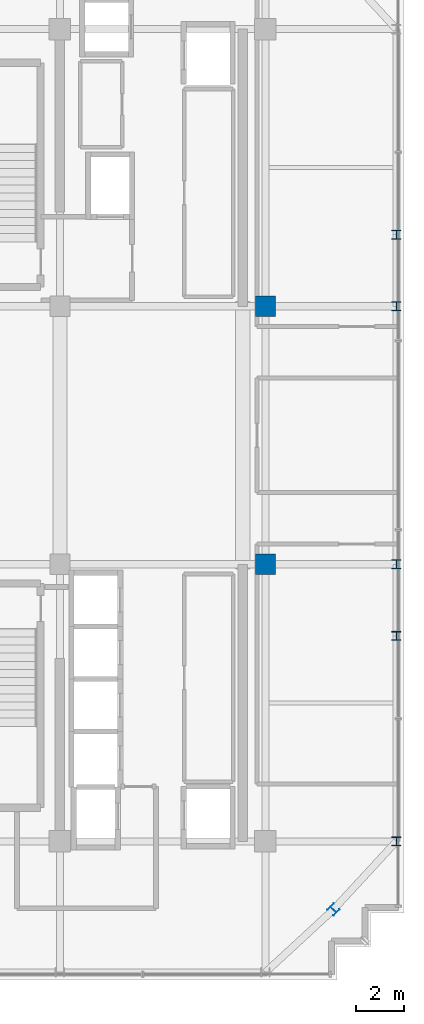
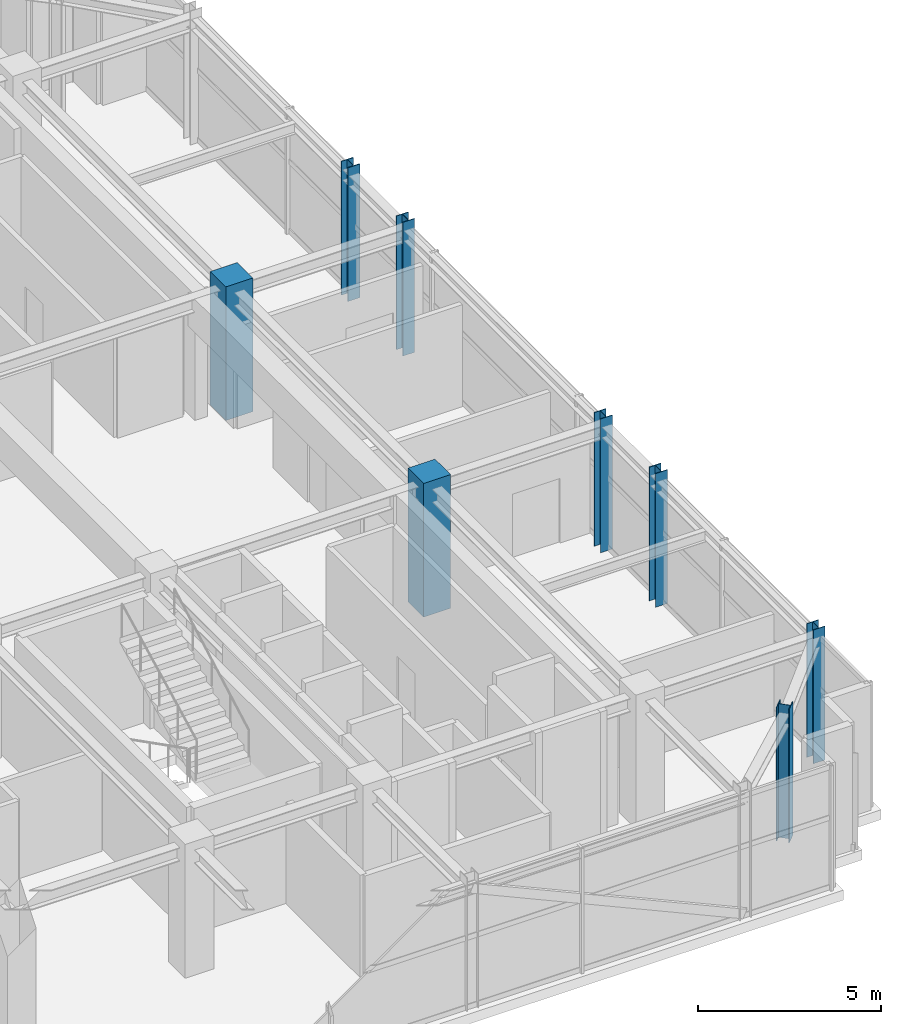
# One storey, part 2 of 26: 8 columns.
"""IFC4 building model written with IfcOpenShell, lengths in metres."""

from ifc_helpers import new_model, si_unit, direction, frame, origin, origin_2d, place, context, subcontext, project, spatial, rectangle, i_section, extrude, source, transform, mapped, material, material_profile, profile_set, type_object, element, save


model = new_model("IFC4")

# Units and contexts
model_context = context("Model", 3, precision=1e-05, world=origin(), true_north=direction((0.0, 1.0)))
body_context = subcontext(model_context, "Body", "Model", "MODEL_VIEW")
ifc_project = project(units=[si_unit("LENGTHUNIT", "METRE"), si_unit("AREAUNIT", "SQUARE_METRE"), si_unit("VOLUMEUNIT", "CUBIC_METRE"), si_unit("PLANEANGLEUNIT", "RADIAN"), si_unit("MASSUNIT", "GRAM", prefix="KILO")], contexts=[model_context])

# Site, building, storey
site_placement = place(None, origin())
site = spatial("IfcSite", under=ifc_project, at=site_placement, CompositionType="ELEMENT")
building_placement = place(site_placement, origin())
building = spatial("IfcBuilding", under=site, at=building_placement, Name="Nahalor Promenade Grand Hotel", CompositionType="ELEMENT")
storey_placement = place(building_placement, frame((0.0, 0.0, 343.050048828125)))
storey = spatial("IfcBuildingStorey", under=building, at=storey_placement, Name="L88", CompositionType="ELEMENT", Elevation=343.050048828125)

# Columns
ifc_material_1 = material(Name="Concrete B-70 (C60/75)", Category="concrete")
ifc_material_profile_1 = material_profile(ifc_material_1, rectangle(XDim=0.85, YDim=0.85, at=origin_2d()), Name="RC 850x850")
ifc_profile_set_1 = profile_set([ifc_material_profile_1], Name="Concrete B-70 (C60/75)")
column_type_1 = type_object("IfcColumnType", Name="Col-Pilaster-850", PredefinedType="PILASTER", material=ifc_profile_set_1)
shared_shape_1 = source(origin(), body_context, "Body", "SweptSolid", [
    extrude(rectangle(XDim=0.85, YDim=0.85, at=origin_2d()), origin(), (0.0, 0.0, 1.0), 4.454833984375),
])
for number, where, z_axis, x_axis, name in (
    (1, (17.0, -5.39990234375, 0.0), (0.0, 0.0, 1.0), (1.0, 0.0, 0.0), "COL-L88-I51"),
    (2, (17.0, 5.39990234375, 0.0), (0.0, 0.0, 1.0), (1.0, 0.0, 0.0), "COL-L88-I52"),
):
    element("IfcColumn", number, at=place(storey_placement, frame(where, z_axis=z_axis, x_axis=x_axis)), inside=storey, type_object=column_type_1, Name=name, PredefinedType="PILASTER", context=body_context, shape_type="MappedRepresentation", body=[
        mapped(shared_shape_1, transform((0.0, 0.0, 0.0), scale=1.0)),
    ])
ifc_material_2 = material(Name="Steel S355JR", Category="steel")
ifc_material_profile_2 = material_profile(ifc_material_2, i_section(OverallWidth=0.374, OverallDepth=0.374, WebThickness=0.0144, FlangeThickness=0.0229, at=origin_2d()), Name="HD 360x262")
ifc_profile_set_2 = profile_set([ifc_material_profile_2], Name="Steel S355JR")
column_type_2 = type_object("IfcColumnType", Name="Col-Steel-HD262", PredefinedType="COLUMN", material=ifc_profile_set_2)
shared_shape_2 = source(origin(), body_context, "Body", "SweptSolid", [
    extrude(i_section(OverallWidth=0.374, OverallDepth=0.374, WebThickness=0.0144, FlangeThickness=0.0229, at=origin_2d()), origin(), (0.0, 0.0, 1.0), 4.454833984375),
])
for number, where, z_axis, x_axis, name in (
    (3, (22.47998046875, -17.0, 0.0), (0.0, 0.0, 1.0), (1.0, 0.0, 0.0), "COL-L88-PW-E0"),
    (4, (22.47998046875, -8.39990234375, 0.0), (0.0, 0.0, 1.0), (1.0, 0.0, 0.0), "COL-L88-PW-E1"),
    (5, (22.47998046875, -5.39990234375, 0.0), (0.0, 0.0, 1.0), (1.0, 0.0, 0.0), "COL-L88-PW-E2"),
    (6, (22.47998046875, 5.39990234375, 0.0), (0.0, 0.0, 1.0), (1.0, 0.0, 0.0), "COL-L88-PW-E3"),
    (7, (22.47998046875, 8.39990234375, 0.0), (0.0, 0.0, 1.0), (1.0, 0.0, 0.0), "COL-L88-PW-E4"),
    (8, (19.85009765625, -19.85009765625, 0.0), (0.0, 0.0, 1.0), (0.707106781187, 0.707106781187, 0.0), "COL-L88-CRN-SE"),
):
    element("IfcColumn", number, at=place(storey_placement, frame(where, z_axis=z_axis, x_axis=x_axis)), inside=storey, type_object=column_type_2, Name=name, PredefinedType="COLUMN", context=body_context, shape_type="MappedRepresentation", body=[
        mapped(shared_shape_2, transform((0.0, 0.0, 0.0), scale=1.0)),
    ])

save(model, "model.ifc")
